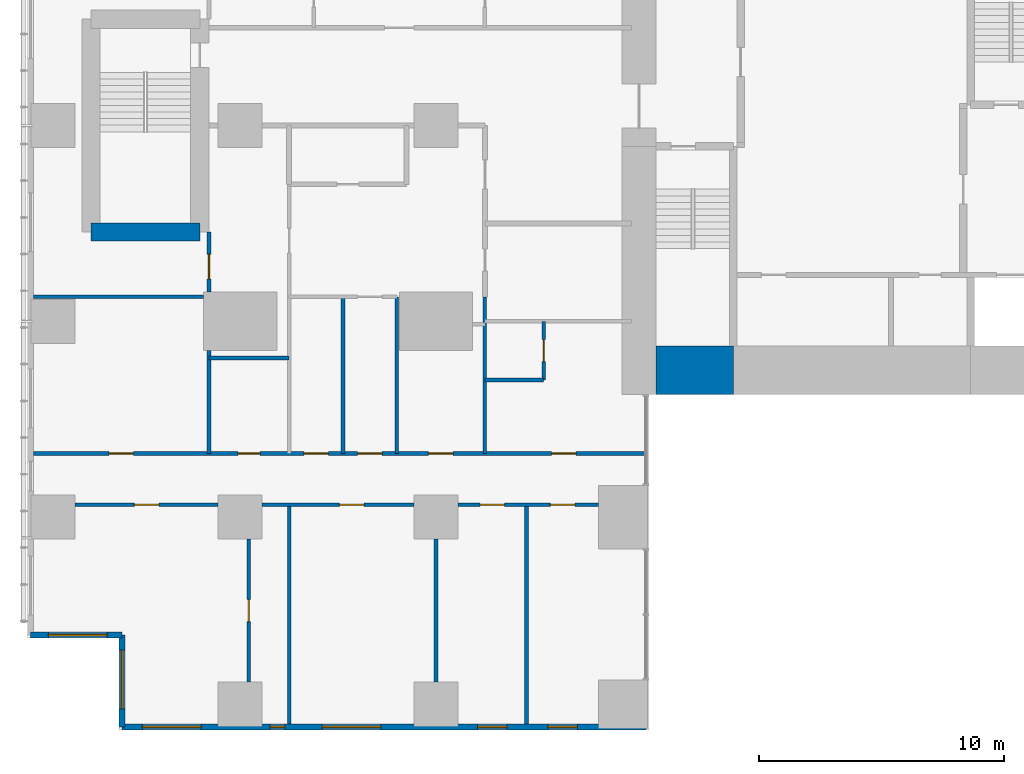
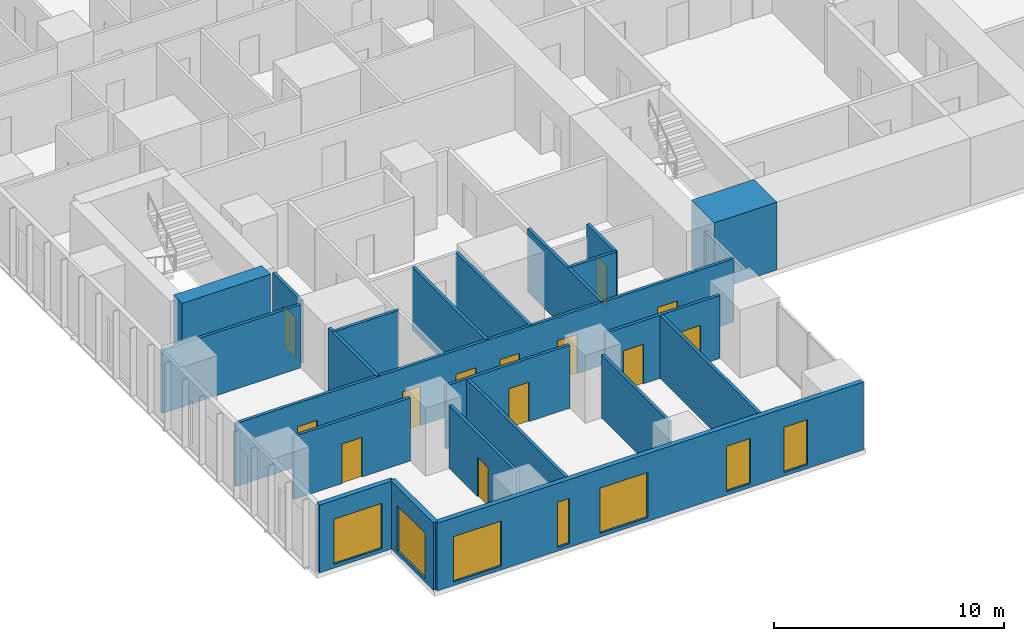
# One storey, part 12 of 20: 22 walls, 13 doors, 7 windows, 20 openings.
"""IFC4 building model written with IfcOpenShell, lengths in metres."""

import ifcopenshell
import ifcopenshell.guid

model = None  # the IFC model being written
_history = None  # IfcOwnerHistory: only IFC2X3 demands one
_inside = {}  # id of a spatial element -> (the spatial element, [elements in it])
_under = {}  # id of a project, library or spatial element -> (it, [spatial elements below it])
_declared = {}  # id of a project -> (the project, [libraries it declares])
_typed = {}  # id of a type object -> (the type object, [elements of that type])
_made_of = {}  # id of a material, layer set ... -> (it, [elements and type objects made of it])


def new_model(schema):
    """Start an empty IFC model of exactly this schema.

    Asked for "IFC4X3", IfcOpenShell would pick the latest addendum, in which some entities
    have other attributes; the version numbers below select the first issue.
    IFC2X3 requires an IfcOwnerHistory on every rooted entity: one is made here for all.
    """
    global model, _history
    if schema == "IFC4X3":
        model = ifcopenshell.file(schema_version=(4, 3, 0, 0))
    else:
        model = ifcopenshell.file(schema=schema)
    _inside.clear()
    _under.clear()
    _declared.clear()
    _typed.clear()
    _made_of.clear()
    _history = None
    if model.schema == "IFC2X3":
        org = make("IfcOrganization", Name="unknown")
        user = make(
            "IfcPersonAndOrganization",
            ThePerson=make("IfcPerson", FamilyName="unknown"),
            TheOrganization=org,
        )
        app = make(
            "IfcApplication",
            ApplicationDeveloper=org,
            Version="unknown",
            ApplicationFullName="unknown",
            ApplicationIdentifier="unknown",
        )
        _history = make(
            "IfcOwnerHistory",
            OwningUser=user,
            OwningApplication=app,
            ChangeAction="ADDED",
            CreationDate=0,
        )
    return model


def make(cls, **values):
    """One entity of the class cls with the attributes given. An attribute that is None is left unset."""
    return model.create_entity(
        cls, **{name: value for name, value in values.items() if value is not None}
    )


def rooted(cls, **values):
    """An entity with a GlobalId (a new one), such as an element, a storey or a relation."""
    return make(cls, GlobalId=ifcopenshell.guid.new(), OwnerHistory=_history, **values)


def si_unit(unit_type, name, prefix=None):
    """IfcSIUnit, for example si_unit("LENGTHUNIT", "METRE", prefix="MILLI")."""
    return make("IfcSIUnit", UnitType=unit_type, Prefix=prefix, Name=name)


def assignment(units):
    """IfcUnitAssignment: the units of a project."""
    return None if units is None else make("IfcUnitAssignment", Units=units)


def point(xyz):
    """IfcCartesianPoint."""
    return None if xyz is None else make("IfcCartesianPoint", Coordinates=xyz)


def direction(xyz):
    """IfcDirection."""
    return None if xyz is None else make("IfcDirection", DirectionRatios=xyz)


def frame(location, z_axis=None, x_axis=None):
    """IfcAxis2Placement3D, a coordinate frame: its origin and axes. An axis left out is left unset."""
    return make(
        "IfcAxis2Placement3D",
        Location=point(location),
        Axis=direction(z_axis),
        RefDirection=direction(x_axis),
    )


def frame_2d(location, x_axis=None):
    """IfcAxis2Placement2D, a coordinate frame in the plane: its origin and x axis."""
    return make(
        "IfcAxis2Placement2D", Location=point(location), RefDirection=direction(x_axis)
    )


def origin():
    """The frame at (0, 0, 0) with its axes left unset."""
    return frame((0.0, 0.0, 0.0))


def place(relative_to, where):
    """IfcLocalPlacement: puts the frame where relative to a parent placement (None: the world)."""
    return make(
        "IfcLocalPlacement", PlacementRelTo=relative_to, RelativePlacement=where
    )


def context(
    kind, dimensions, precision=None, world=None, true_north=None, identifier=None
):
    """IfcGeometricRepresentationContext, for example the 3D "Model" context."""
    return make(
        "IfcGeometricRepresentationContext",
        ContextIdentifier=identifier,
        ContextType=kind,
        CoordinateSpaceDimension=dimensions,
        Precision=precision,
        WorldCoordinateSystem=world,
        TrueNorth=true_north,
    )


def subcontext(parent, identifier, kind, view, scale=None):
    """IfcGeometricRepresentationSubContext, for example "Body" below "Model"."""
    return make(
        "IfcGeometricRepresentationSubContext",
        ContextIdentifier=identifier,
        ContextType=kind,
        ParentContext=parent,
        TargetScale=scale,
        TargetView=view,
    )


def project(units=None, contexts=None):
    """IfcProject with its units and contexts."""
    return rooted(
        "IfcProject",
        Name="project",
        RepresentationContexts=contexts,
        UnitsInContext=assignment(units),
    )


def spatial(cls, under=None, at=None, **own):
    """A site, building, storey or space (cls), placed at a placement, below another one or the project."""
    s = rooted(cls, ObjectPlacement=at, **own)
    if under is not None:
        _under.setdefault(under.id(), (under, []))[1].append(s)
    return s


def profile(cls, at=None, kind="AREA", **sizes):
    """A parametric profile (cls). Its sizes go by their IFC names, for example OverallWidth=200.0."""
    return make(cls, ProfileType=kind, Position=at, **sizes)


def rectangle(**sizes):
    """IfcRectangleProfileDef."""
    return profile("IfcRectangleProfileDef", **sizes)


def extrude(swept, where, along, depth):
    """IfcExtrudedAreaSolid: the profile swept, set in the frame where, extruded along a direction by depth."""
    return make(
        "IfcExtrudedAreaSolid",
        SweptArea=swept,
        Position=where,
        ExtrudedDirection=direction(along),
        Depth=depth,
    )


def shape(context_of_items, identifier, shape_type, items):
    """IfcShapeRepresentation: the items that make up one representation, for example the "Body"."""
    return make(
        "IfcShapeRepresentation",
        ContextOfItems=context_of_items,
        RepresentationIdentifier=identifier,
        RepresentationType=shape_type,
        Items=items,
    )


def material(Name=None, Category=None):
    """IfcMaterial."""
    return make("IfcMaterial", Name=Name, Category=Category)


def layer(
    of_material, thickness, ventilated=None, Name=None, Category=None, Priority=None
):
    """IfcMaterialLayer: one layer of a wall or slab, of a material (None: an air gap)."""
    return make(
        "IfcMaterialLayer",
        Material=of_material,
        LayerThickness=thickness,
        IsVentilated=ventilated,
        Name=Name,
        Category=Category,
        Priority=Priority,
    )


def layer_set(layers, Name=None):
    """IfcMaterialLayerSet."""
    return make("IfcMaterialLayerSet", MaterialLayers=layers, LayerSetName=Name)


def made_of(thing, what):
    """Note that an element or type object is made of a material, layer set ...; save() writes the relation."""
    if what is not None:
        _made_of.setdefault(what.id(), (what, []))[1].append(thing)
    return thing


def type_object(cls, material=None, **own):
    """A type object (cls), such as IfcWallType, which elements share."""
    return made_of(rooted(cls, **own), material)


def element(
    cls,
    number,
    at=None,
    inside=None,
    cuts=None,
    type_object=None,
    material=None,
    context=None,
    identifier="Body",
    shape_type=None,
    held_by="IfcProductDefinitionShape",
    body=None,
    shapes=None,
    **own,
):
    """One element of the class cls, such as IfcWall. Its Tag is "e" and its number.

    at: its placement. inside: the storey or other place that contains it. cuts: it is an
    opening in that element (IfcRelVoidsElement). A single representation is given by context,
    identifier, shape_type and body (its items); several are given by shapes. held_by: the class
    of the entity that holds the representations. save() writes the other relations.
    """
    e = rooted(cls, Tag="e%d" % number, ObjectPlacement=at, **own)
    if body is not None:
        shapes = [shape(context, identifier, shape_type, body)]
    if shapes is not None:
        e.Representation = make(held_by, Representations=shapes)
    if inside is not None:
        _inside.setdefault(inside.id(), (inside, []))[1].append(e)
    if cuts is not None:
        rooted(
            "IfcRelVoidsElement", RelatingBuildingElement=cuts, RelatedOpeningElement=e
        )
    if type_object is not None:
        _typed.setdefault(type_object.id(), (type_object, []))[1].append(e)
    return made_of(e, material)


def fill(opening, filler):
    """IfcRelFillsElement: the door or window that sits in an opening."""
    return rooted(
        "IfcRelFillsElement",
        RelatingOpeningElement=opening,
        RelatedBuildingElement=filler,
    )


def aggregate(whole, parts):
    """IfcRelAggregates: a whole, such as a stair, and the parts it consists of."""
    return rooted("IfcRelAggregates", RelatingObject=whole, RelatedObjects=parts)


def save(model, path):
    """Write the relations noted so far, then the file.

    IfcRelAggregates (storeys below a building ...), IfcRelContainedInSpatialStructure (elements
    in a storey), IfcRelDefinesByType, IfcRelAssociatesMaterial and IfcRelDeclares: one each for
    every whole, place, type object, material and project.
    """
    for whole, parts in _under.values():
        aggregate(whole, parts)
    for where, things in _inside.values():
        rooted(
            "IfcRelContainedInSpatialStructure",
            RelatedElements=things,
            RelatingStructure=where,
        )
    for kind, things in _typed.values():
        rooted("IfcRelDefinesByType", RelatedObjects=things, RelatingType=kind)
    for what, things in _made_of.values():
        rooted("IfcRelAssociatesMaterial", RelatedObjects=things, RelatingMaterial=what)
    for by, libraries in _declared.values():
        rooted("IfcRelDeclares", RelatingContext=by, RelatedDefinitions=libraries)
    model.write(path)


model = new_model("IFC4")

# Units and contexts
model_context = context("Model", 3, precision=1e-05, world=origin(), true_north=direction((0.0, 1.0)))
body_context = subcontext(model_context, "Body", "Model", "MODEL_VIEW")
ifc_project = project(units=[si_unit("LENGTHUNIT", "METRE"), si_unit("AREAUNIT", "SQUARE_METRE"), si_unit("VOLUMEUNIT", "CUBIC_METRE"), si_unit("PLANEANGLEUNIT", "RADIAN"), si_unit("MASSUNIT", "GRAM", prefix="KILO")], contexts=[model_context])

# Site, building, storey
site_placement = place(None, origin())
site = spatial("IfcSite", under=ifc_project, at=site_placement, CompositionType="ELEMENT")
building_placement = place(site_placement, origin())
building = spatial("IfcBuilding", under=site, at=building_placement, Name="Cleftline Residences", CompositionType="ELEMENT")
storey_placement = place(building_placement, frame((0.0, 0.0, 203.800048828125)))
storey = spatial("IfcBuildingStorey", under=building, at=storey_placement, Name="L53", CompositionType="ELEMENT", Elevation=203.800048828125)

# Wall
ifc_material_1 = material(Name="Concrete B70", Category="concrete")
ifc_layer_1 = layer(ifc_material_1, 2.0)
ifc_layer_set_1 = layer_set([ifc_layer_1], Name="CORE WALL 2000")
wall_type_1 = type_object("IfcWallType", Name="CORE WALL 2000", PredefinedType="SHEAR", material=ifc_layer_set_1)
wall_1_placement = place(storey_placement, frame((25.0, 14.0, 0.0), z_axis=(0.0, 0.0, 1.0), x_axis=(1.0, 0.0, 0.0)))
element("IfcWall", 1, at=wall_1_placement, inside=storey, type_object=wall_type_1, Name="Core wall S1", PredefinedType="SHEAR", context=body_context, shape_type="SweptSolid", body=[
    extrude(rectangle(XDim=3.14990234375, YDim=2.0, at=frame_2d((1.574951171875, 0.0))), origin(), (0.0, 0.0, 1.0), 3.599853515625),
])

# Wall, opening, window
ifc_material_2 = material(Name="Rendered reinforced concrete blockwork", Category="masonry")
ifc_layer_2 = layer(ifc_material_2, 0.25)
ifc_layer_set_2 = layer_set([ifc_layer_2], Name="EXTERNAL WALL 250")
wall_type_2 = type_object("IfcWallType", Name="EXTERNAL WALL 250", PredefinedType="SOLIDWALL", material=ifc_layer_set_2)
wall_2_placement = place(storey_placement, frame((-0.574951171875, 3.175048828125, 0.0), z_axis=(0.0, 0.0, 1.0), x_axis=(1.0, 0.0, 0.0)))
wall_2 = element("IfcWall", 2, at=wall_2_placement, inside=storey, type_object=wall_type_2, Name="External wall", PredefinedType="SOLIDWALL", context=body_context, shape_type="SweptSolid", body=[
    extrude(rectangle(XDim=3.75, YDim=0.25, at=frame_2d((1.875, 0.0))), origin(), (0.0, 0.0, 1.0), 3.599853515625),
])
opening_1_placement = place(wall_2_placement, frame((0.737548828125, 0.0, 0.199951171875)))
opening_1 = element("IfcOpeningElement", 3, at=opening_1_placement, cuts=wall_2, Name="Opening W9", PredefinedType="OPENING", context=body_context, shape_type="SweptSolid", body=[
    extrude(rectangle(XDim=2.39990234375, YDim=2.39990234375, at=frame_2d((1.199951171875, 1.199951171875))), frame((0.0, 0.135009765625, 0.0), z_axis=(0.0, -1.0, 0.0), x_axis=(1.0, 0.0, 0.0)), (0.0, 0.0, 1.0), 0.27001953125),
])
ifc_material_3 = material(Name="Aluminium frame, clear double glazing", Category="aluminium")
window_type_1 = type_object("IfcWindowType", Name="WINDOW 2400X2400", PartitioningType="DOUBLE_PANEL_VERTICAL", PredefinedType="WINDOW", material=ifc_material_3)
window_1_placement = place(opening_1_placement, origin())
window_1 = element("IfcWindow", 4, at=window_1_placement, inside=storey, type_object=window_type_1, Name="Window", OverallHeight=2.39990234375, OverallWidth=2.39990234375, PartitioningType="SINGLE_PANEL", PredefinedType="WINDOW", context=body_context, shape_type="SweptSolid", body=[
    extrude(rectangle(XDim=2.39990234375, YDim=2.39990234375, at=frame_2d((1.199951171875, 1.199951171875))), frame((0.0, 0.030029296875, 0.0), z_axis=(0.0, -1.0, 0.0), x_axis=(1.0, 0.0, 0.0)), (0.0, 0.0, 1.0), 0.06005859375),
])
fill(opening_1, window_1)

wall_3_placement = place(storey_placement, frame((3.175048828125, 3.175048828125, 0.0), z_axis=(0.0, 0.0, 1.0), x_axis=(0.0, -1.0, 0.0)))
wall_3 = element("IfcWall", 5, at=wall_3_placement, inside=storey, type_object=wall_type_2, Name="External wall", PredefinedType="SOLIDWALL", context=body_context, shape_type="SweptSolid", body=[
    extrude(rectangle(XDim=3.75, YDim=0.25, at=frame_2d((1.875, 0.0))), origin(), (0.0, 0.0, 1.0), 3.599853515625),
])
opening_2_placement = place(wall_3_placement, frame((0.612548828125, 0.0, 0.199951171875)))
opening_2 = element("IfcOpeningElement", 6, at=opening_2_placement, cuts=wall_3, Name="Opening W9", PredefinedType="OPENING", context=body_context, shape_type="SweptSolid", body=[
    extrude(rectangle(XDim=2.39990234375, YDim=2.39990234375, at=frame_2d((1.199951171875, 1.199951171875))), frame((0.0, 0.135009765625, 0.0), z_axis=(0.0, -1.0, 0.0), x_axis=(1.0, 0.0, 0.0)), (0.0, 0.0, 1.0), 0.27001953125),
])
window_2_placement = place(opening_2_placement, origin())
window_2 = element("IfcWindow", 7, at=window_2_placement, inside=storey, type_object=window_type_1, Name="Window", OverallHeight=2.39990234375, OverallWidth=2.39990234375, PartitioningType="SINGLE_PANEL", PredefinedType="WINDOW", context=body_context, shape_type="SweptSolid", body=[
    extrude(rectangle(XDim=2.39990234375, YDim=2.39990234375, at=frame_2d((1.199951171875, 1.199951171875))), frame((0.0, 0.030029296875, 0.0), z_axis=(0.0, -1.0, 0.0), x_axis=(1.0, 0.0, 0.0)), (0.0, 0.0, 1.0), 0.06005859375),
])
fill(opening_2, window_2)

# Wall, openings, windows
wall_4_placement = place(storey_placement, frame((3.175048828125, -0.574951171875, 0.0), z_axis=(0.0, 0.0, 1.0), x_axis=(1.0, 0.0, 0.0)))
wall_4 = element("IfcWall", 8, at=wall_4_placement, inside=storey, type_object=wall_type_2, Name="External wall", PredefinedType="SOLIDWALL", context=body_context, shape_type="SweptSolid", body=[
    extrude(rectangle(XDim=21.39990234375, YDim=0.25, at=frame_2d((10.699951171875, 0.0))), origin(), (0.0, 0.0, 1.0), 3.599853515625),
])
opening_3_placement = place(wall_4_placement, frame((0.824951171875, 0.0, 0.199951171875)))
opening_3 = element("IfcOpeningElement", 9, at=opening_3_placement, cuts=wall_4, Name="Opening W9", PredefinedType="OPENING", context=body_context, shape_type="SweptSolid", body=[
    extrude(rectangle(XDim=2.39990234375, YDim=2.39990234375, at=frame_2d((1.199951171875, 1.199951171875))), frame((0.0, 0.135009765625, 0.0), z_axis=(0.0, -1.0, 0.0), x_axis=(1.0, 0.0, 0.0)), (0.0, 0.0, 1.0), 0.27001953125),
])
opening_4_placement = place(wall_4_placement, frame((6.050048828125, 0.0, 0.199951171875)))
opening_4 = element("IfcOpeningElement", 10, at=opening_4_placement, cuts=wall_4, Name="Opening W14", PredefinedType="OPENING", context=body_context, shape_type="SweptSolid", body=[
    extrude(rectangle(XDim=0.60009765625, YDim=2.39990234375, at=frame_2d((0.300048828125, 1.199951171875))), frame((0.0, 0.135009765625, 0.0), z_axis=(0.0, -1.0, 0.0), x_axis=(1.0, 0.0, 0.0)), (0.0, 0.0, 1.0), 0.27001953125),
])
opening_5_placement = place(wall_4_placement, frame((8.175048828125, 0.0, 0.199951171875)))
opening_5 = element("IfcOpeningElement", 11, at=opening_5_placement, cuts=wall_4, Name="Opening W9", PredefinedType="OPENING", context=body_context, shape_type="SweptSolid", body=[
    extrude(rectangle(XDim=2.39990234375, YDim=2.39990234375, at=frame_2d((1.199951171875, 1.199951171875))), frame((0.0, 0.135009765625, 0.0), z_axis=(0.0, -1.0, 0.0), x_axis=(1.0, 0.0, 0.0)), (0.0, 0.0, 1.0), 0.27001953125),
])
opening_6_placement = place(wall_4_placement, frame((14.52490234375, 0.0, 0.199951171875)))
opening_6 = element("IfcOpeningElement", 12, at=opening_6_placement, cuts=wall_4, Name="Opening W13", PredefinedType="OPENING", context=body_context, shape_type="SweptSolid", body=[
    extrude(rectangle(XDim=1.199951171875, YDim=2.39990234375, at=frame_2d((0.60009765625, 1.199951171875))), frame((0.0, 0.135009765625, 0.0), z_axis=(0.0, -1.0, 0.0), x_axis=(1.0, 0.0, 0.0)), (0.0, 0.0, 1.0), 0.27001953125),
])
opening_7_placement = place(wall_4_placement, frame((17.39990234375, 0.0, 0.199951171875)))
opening_7 = element("IfcOpeningElement", 13, at=opening_7_placement, cuts=wall_4, Name="Opening W13", PredefinedType="OPENING", context=body_context, shape_type="SweptSolid", body=[
    extrude(rectangle(XDim=1.199951171875, YDim=2.39990234375, at=frame_2d((0.60009765625, 1.199951171875))), frame((0.0, 0.135009765625, 0.0), z_axis=(0.0, -1.0, 0.0), x_axis=(1.0, 0.0, 0.0)), (0.0, 0.0, 1.0), 0.27001953125),
])
ifc_material_4 = material(Name="Aluminium frame, clear double glazing", Category="aluminium")
window_type_2 = type_object("IfcWindowType", Name="WINDOW 1200X2400", PartitioningType="DOUBLE_PANEL_VERTICAL", PredefinedType="WINDOW", material=ifc_material_4)
window_3_placement = place(opening_6_placement, origin())
window_3 = element("IfcWindow", 14, at=window_3_placement, inside=storey, type_object=window_type_2, Name="Window", OverallHeight=2.39990234375, OverallWidth=1.199951171875, PartitioningType="SINGLE_PANEL", PredefinedType="WINDOW", context=body_context, shape_type="SweptSolid", body=[
    extrude(rectangle(XDim=1.199951171875, YDim=2.39990234375, at=frame_2d((0.60009765625, 1.199951171875))), frame((0.0, 0.030029296875, 0.0), z_axis=(0.0, -1.0, 0.0), x_axis=(1.0, 0.0, 0.0)), (0.0, 0.0, 1.0), 0.06005859375),
])
fill(opening_6, window_3)
window_4_placement = place(opening_7_placement, origin())
window_4 = element("IfcWindow", 15, at=window_4_placement, inside=storey, type_object=window_type_2, Name="Window", OverallHeight=2.39990234375, OverallWidth=1.199951171875, PartitioningType="SINGLE_PANEL", PredefinedType="WINDOW", context=body_context, shape_type="SweptSolid", body=[
    extrude(rectangle(XDim=1.199951171875, YDim=2.39990234375, at=frame_2d((0.60009765625, 1.199951171875))), frame((0.0, 0.030029296875, 0.0), z_axis=(0.0, -1.0, 0.0), x_axis=(1.0, 0.0, 0.0)), (0.0, 0.0, 1.0), 0.06005859375),
])
fill(opening_7, window_4)
window_5_placement = place(opening_3_placement, origin())
window_5 = element("IfcWindow", 16, at=window_5_placement, inside=storey, type_object=window_type_1, Name="Window", OverallHeight=2.39990234375, OverallWidth=2.39990234375, PartitioningType="SINGLE_PANEL", PredefinedType="WINDOW", context=body_context, shape_type="SweptSolid", body=[
    extrude(rectangle(XDim=2.39990234375, YDim=2.39990234375, at=frame_2d((1.199951171875, 1.199951171875))), frame((0.0, 0.030029296875, 0.0), z_axis=(0.0, -1.0, 0.0), x_axis=(1.0, 0.0, 0.0)), (0.0, 0.0, 1.0), 0.06005859375),
])
fill(opening_3, window_5)
window_6_placement = place(opening_5_placement, origin())
window_6 = element("IfcWindow", 17, at=window_6_placement, inside=storey, type_object=window_type_1, Name="Window", OverallHeight=2.39990234375, OverallWidth=2.39990234375, PartitioningType="SINGLE_PANEL", PredefinedType="WINDOW", context=body_context, shape_type="SweptSolid", body=[
    extrude(rectangle(XDim=2.39990234375, YDim=2.39990234375, at=frame_2d((1.199951171875, 1.199951171875))), frame((0.0, 0.030029296875, 0.0), z_axis=(0.0, -1.0, 0.0), x_axis=(1.0, 0.0, 0.0)), (0.0, 0.0, 1.0), 0.06005859375),
])
fill(opening_5, window_6)
ifc_material_5 = material(Name="Aluminium frame, clear double glazing", Category="aluminium")
window_type_3 = type_object("IfcWindowType", Name="WINDOW 600X2400", PartitioningType="DOUBLE_PANEL_VERTICAL", PredefinedType="WINDOW", material=ifc_material_5)
window_7_placement = place(opening_4_placement, origin())
window_7 = element("IfcWindow", 18, at=window_7_placement, inside=storey, type_object=window_type_3, Name="Window", OverallHeight=2.39990234375, OverallWidth=0.60009765625, PartitioningType="SINGLE_PANEL", PredefinedType="WINDOW", context=body_context, shape_type="SweptSolid", body=[
    extrude(rectangle(XDim=0.60009765625, YDim=2.39990234375, at=frame_2d((0.300048828125, 1.199951171875))), frame((0.0, 0.030029296875, 0.0), z_axis=(0.0, -1.0, 0.0), x_axis=(1.0, 0.0, 0.0)), (0.0, 0.0, 1.0), 0.06005859375),
])
fill(opening_4, window_7)

# Wall, opening, door
ifc_material_6 = material(Name="Gypsum board on steel studs", Category="steel")
ifc_layer_3 = layer(ifc_material_6, 0.14990234375)
ifc_layer_set_3 = layer_set([ifc_layer_3], Name="PARTITION 150")
wall_type_3 = type_object("IfcWallType", Name="PARTITION 150", PredefinedType="PARTITIONING", material=ifc_layer_set_3)
wall_5_placement = place(storey_placement, frame((1.25, 8.5, 0.0), z_axis=(0.0, 0.0, 1.0), x_axis=(1.0, 0.0, 0.0)))
wall_5 = element("IfcWall", 19, at=wall_5_placement, inside=storey, type_object=wall_type_3, Name="Partition", PredefinedType="PARTITIONING", context=body_context, shape_type="SweptSolid", body=[
    extrude(rectangle(XDim=5.85009765625, YDim=0.14990234375, at=frame_2d((2.925048828125, 0.0))), origin(), (0.0, 0.0, 1.0), 3.349853515625),
])
opening_8_placement = place(wall_5_placement, frame((2.425048828125, 0.0, 0.0)))
opening_8 = element("IfcOpeningElement", 20, at=opening_8_placement, cuts=wall_5, Name="Opening D2", PredefinedType="OPENING", context=body_context, shape_type="SweptSolid", body=[
    extrude(rectangle(XDim=1.0, YDim=2.10009765625, at=frame_2d((0.5, 1.050048828125))), frame((0.0, 0.0849609375, 0.0), z_axis=(0.0, -1.0, 0.0), x_axis=(1.0, 0.0, 0.0)), (0.0, 0.0, 1.0), 0.169921875),
])
ifc_material_7 = material(Name="Timber veneer on solid core", Category="wood")
door_type_1 = type_object("IfcDoorType", Name="DOOR 1000X2100", OperationType="SINGLE_SWING_LEFT", PredefinedType="DOOR", material=ifc_material_7)
door_1_placement = place(opening_8_placement, origin())
door_1 = element("IfcDoor", 21, at=door_1_placement, inside=storey, type_object=door_type_1, Name="Door to formal living room", OperationType="SINGLE_SWING_LEFT", OverallHeight=2.10009765625, OverallWidth=1.0, PredefinedType="DOOR", context=body_context, shape_type="SweptSolid", body=[
    extrude(rectangle(XDim=1.0, YDim=2.10009765625, at=frame_2d((0.5, 1.050048828125))), frame((0.0, 0.02490234375, 0.0), z_axis=(0.0, -1.0, 0.0), x_axis=(1.0, 0.0, 0.0)), (0.0, 0.0, 1.0), 0.050048828125),
])
fill(opening_8, door_1)

wall_6_placement = place(storey_placement, frame((8.89990234375, 8.5, 0.0), z_axis=(0.0, 0.0, 1.0), x_axis=(1.0, 0.0, 0.0)))
wall_6 = element("IfcWall", 22, at=wall_6_placement, inside=storey, type_object=wall_type_3, Name="Partition", PredefinedType="PARTITIONING", context=body_context, shape_type="SweptSolid", body=[
    extrude(rectangle(XDim=6.2001953125, YDim=0.14990234375, at=frame_2d((3.10009765625, 0.0))), origin(), (0.0, 0.0, 1.0), 3.349853515625),
])
opening_9_placement = place(wall_6_placement, frame((3.14990234375, 0.0, 0.0)))
opening_9 = element("IfcOpeningElement", 23, at=opening_9_placement, cuts=wall_6, Name="Opening D2", PredefinedType="OPENING", context=body_context, shape_type="SweptSolid", body=[
    extrude(rectangle(XDim=1.0, YDim=2.10009765625, at=frame_2d((0.5, 1.050048828125))), frame((0.0, 0.0849609375, 0.0), z_axis=(0.0, -1.0, 0.0), x_axis=(1.0, 0.0, 0.0)), (0.0, 0.0, 1.0), 0.169921875),
])
door_2_placement = place(opening_9_placement, origin())
door_2 = element("IfcDoor", 24, at=door_2_placement, inside=storey, type_object=door_type_1, Name="Door to formal dining room", OperationType="SINGLE_SWING_LEFT", OverallHeight=2.10009765625, OverallWidth=1.0, PredefinedType="DOOR", context=body_context, shape_type="SweptSolid", body=[
    extrude(rectangle(XDim=1.0, YDim=2.10009765625, at=frame_2d((0.5, 1.050048828125))), frame((0.0, 0.02490234375, 0.0), z_axis=(0.0, -1.0, 0.0), x_axis=(1.0, 0.0, 0.0)), (0.0, 0.0, 1.0), 0.050048828125),
])
fill(opening_9, door_2)

# Wall, openings, doors
wall_7_placement = place(storey_placement, frame((16.89990234375, 8.5, 0.0), z_axis=(0.0, 0.0, 1.0), x_axis=(1.0, 0.0, 0.0)))
wall_7 = element("IfcWall", 25, at=wall_7_placement, inside=storey, type_object=wall_type_3, Name="Partition", PredefinedType="PARTITIONING", context=body_context, shape_type="SweptSolid", body=[
    extrude(rectangle(XDim=5.75, YDim=0.14990234375, at=frame_2d((2.875, 0.0))), origin(), (0.0, 0.0, 1.0), 3.349853515625),
])
opening_10_placement = place(wall_7_placement, frame((0.89990234375, 0.0, 0.0)))
opening_10 = element("IfcOpeningElement", 26, at=opening_10_placement, cuts=wall_7, Name="Opening D2", PredefinedType="OPENING", context=body_context, shape_type="SweptSolid", body=[
    extrude(rectangle(XDim=1.0, YDim=2.10009765625, at=frame_2d((0.5, 1.050048828125))), frame((0.0, 0.0849609375, 0.0), z_axis=(0.0, -1.0, 0.0), x_axis=(1.0, 0.0, 0.0)), (0.0, 0.0, 1.0), 0.169921875),
])
opening_11_placement = place(wall_7_placement, frame((3.77490234375, 0.0, 0.0)))
opening_11 = element("IfcOpeningElement", 27, at=opening_11_placement, cuts=wall_7, Name="Opening D2", PredefinedType="OPENING", context=body_context, shape_type="SweptSolid", body=[
    extrude(rectangle(XDim=1.0, YDim=2.10009765625, at=frame_2d((0.5, 1.050048828125))), frame((0.0, 0.0849609375, 0.0), z_axis=(0.0, -1.0, 0.0), x_axis=(1.0, 0.0, 0.0)), (0.0, 0.0, 1.0), 0.169921875),
])
door_3_placement = place(opening_10_placement, origin())
door_3 = element("IfcDoor", 28, at=door_3_placement, inside=storey, type_object=door_type_1, Name="Door to breakfast room", OperationType="SINGLE_SWING_RIGHT", OverallHeight=2.10009765625, OverallWidth=1.0, PredefinedType="DOOR", context=body_context, shape_type="SweptSolid", body=[
    extrude(rectangle(XDim=1.0, YDim=2.10009765625, at=frame_2d((0.5, 1.050048828125))), frame((0.0, 0.02490234375, 0.0), z_axis=(0.0, -1.0, 0.0), x_axis=(1.0, 0.0, 0.0)), (0.0, 0.0, 1.0), 0.050048828125),
])
fill(opening_10, door_3)
door_4_placement = place(opening_11_placement, origin())
door_4 = element("IfcDoor", 29, at=door_4_placement, inside=storey, type_object=door_type_1, Name="Door to show kitchen", OperationType="SINGLE_SWING_LEFT", OverallHeight=2.10009765625, OverallWidth=1.0, PredefinedType="DOOR", context=body_context, shape_type="SweptSolid", body=[
    extrude(rectangle(XDim=1.0, YDim=2.10009765625, at=frame_2d((0.5, 1.050048828125))), frame((0.0, 0.02490234375, 0.0), z_axis=(0.0, -1.0, 0.0), x_axis=(1.0, 0.0, 0.0)), (0.0, 0.0, 1.0), 0.050048828125),
])
fill(opening_11, door_4)

wall_8_placement = place(storey_placement, frame((-0.449951171875, 10.60009765625, 0.0), z_axis=(0.0, 0.0, 1.0), x_axis=(1.0, 0.0, 0.0)))
wall_8 = element("IfcWall", 30, at=wall_8_placement, inside=storey, type_object=wall_type_3, Name="Partition", PredefinedType="PARTITIONING", context=body_context, shape_type="SweptSolid", body=[
    extrude(rectangle(XDim=25.010986328125, YDim=0.14990234375, at=frame_2d((12.50537109375, 0.0))), origin(), (0.0, 0.0, 1.0), 3.349853515625),
])
opening_12_placement = place(wall_8_placement, frame((13.25, 0.0, 0.0)))
opening_12 = element("IfcOpeningElement", 31, at=opening_12_placement, cuts=wall_8, Name="Opening D2F30", PredefinedType="OPENING", context=body_context, shape_type="SweptSolid", body=[
    extrude(rectangle(XDim=1.0, YDim=2.10009765625, at=frame_2d((0.5, 1.050048828125))), frame((0.0, 0.0849609375, 0.0), z_axis=(0.0, -1.0, 0.0), x_axis=(1.0, 0.0, 0.0)), (0.0, 0.0, 1.0), 0.169921875),
])
opening_13_placement = place(wall_8_placement, frame((3.08740234375, 0.0, 0.0)))
opening_13 = element("IfcOpeningElement", 32, at=opening_13_placement, cuts=wall_8, Name="Opening D2F30", PredefinedType="OPENING", context=body_context, shape_type="SweptSolid", body=[
    extrude(rectangle(XDim=1.0, YDim=2.10009765625, at=frame_2d((0.5, 1.050048828125))), frame((0.0, 0.0849609375, 0.0), z_axis=(0.0, -1.0, 0.0), x_axis=(1.0, 0.0, 0.0)), (0.0, 0.0, 1.0), 0.169921875),
])
opening_14_placement = place(wall_8_placement, frame((8.362548828125, 0.0, 0.0)))
opening_14 = element("IfcOpeningElement", 33, at=opening_14_placement, cuts=wall_8, Name="Opening D1F30", PredefinedType="OPENING", context=body_context, shape_type="SweptSolid", body=[
    extrude(rectangle(XDim=0.89990234375, YDim=2.10009765625, at=frame_2d((0.449951171875, 1.050048828125))), frame((0.0, 0.0849609375, 0.0), z_axis=(0.0, -1.0, 0.0), x_axis=(1.0, 0.0, 0.0)), (0.0, 0.0, 1.0), 0.169921875),
])
opening_15_placement = place(wall_8_placement, frame((11.050048828125, 0.0, 0.0)))
opening_15 = element("IfcOpeningElement", 34, at=opening_15_placement, cuts=wall_8, Name="Opening D2F30", PredefinedType="OPENING", context=body_context, shape_type="SweptSolid", body=[
    extrude(rectangle(XDim=1.0, YDim=2.10009765625, at=frame_2d((0.5, 1.050048828125))), frame((0.0, 0.0849609375, 0.0), z_axis=(0.0, -1.0, 0.0), x_axis=(1.0, 0.0, 0.0)), (0.0, 0.0, 1.0), 0.169921875),
])
opening_16_placement = place(wall_8_placement, frame((16.14990234375, 0.0, 0.0)))
opening_16 = element("IfcOpeningElement", 35, at=opening_16_placement, cuts=wall_8, Name="Opening D2F30", PredefinedType="OPENING", context=body_context, shape_type="SweptSolid", body=[
    extrude(rectangle(XDim=1.0, YDim=2.10009765625, at=frame_2d((0.5, 1.050048828125))), frame((0.0, 0.0849609375, 0.0), z_axis=(0.0, -1.0, 0.0), x_axis=(1.0, 0.0, 0.0)), (0.0, 0.0, 1.0), 0.169921875),
])
opening_17_placement = place(wall_8_placement, frame((21.175048828125, 0.0, 0.0)))
opening_17 = element("IfcOpeningElement", 36, at=opening_17_placement, cuts=wall_8, Name="Opening D2F30", PredefinedType="OPENING", context=body_context, shape_type="SweptSolid", body=[
    extrude(rectangle(XDim=1.0, YDim=2.10009765625, at=frame_2d((0.5, 1.050048828125))), frame((0.0, 0.0849609375, 0.0), z_axis=(0.0, -1.0, 0.0), x_axis=(1.0, 0.0, 0.0)), (0.0, 0.0, 1.0), 0.169921875),
])
ifc_material_8 = material(Name="Timber veneer on solid core", Category="wood")
door_type_2 = type_object("IfcDoorType", Name="DOOR 1000X2100 EI 30", OperationType="SINGLE_SWING_LEFT", PredefinedType="DOOR", material=ifc_material_8)
door_5_placement = place(opening_12_placement, origin())
door_5 = element("IfcDoor", 37, at=door_5_placement, inside=storey, type_object=door_type_2, Name="Door to residence hall (gallery)", OperationType="SINGLE_SWING_LEFT", OverallHeight=2.10009765625, OverallWidth=1.0, PredefinedType="DOOR", context=body_context, shape_type="SweptSolid", body=[
    extrude(rectangle(XDim=1.0, YDim=2.10009765625, at=frame_2d((0.5, 1.050048828125))), frame((0.0, 0.02490234375, 0.0), z_axis=(0.0, -1.0, 0.0), x_axis=(1.0, 0.0, 0.0)), (0.0, 0.0, 1.0), 0.050048828125),
])
fill(opening_12, door_5)
door_6_placement = place(opening_13_placement, origin())
door_6 = element("IfcDoor", 38, at=door_6_placement, inside=storey, type_object=door_type_2, Name="Door to winter garden", OperationType="SINGLE_SWING_RIGHT", OverallHeight=2.10009765625, OverallWidth=1.0, PredefinedType="DOOR", context=body_context, shape_type="SweptSolid", body=[
    extrude(rectangle(XDim=1.0, YDim=2.10009765625, at=frame_2d((0.5, 1.050048828125))), frame((0.0, 0.02490234375, 0.0), z_axis=(0.0, -1.0, 0.0), x_axis=(1.0, 0.0, 0.0)), (0.0, 0.0, 1.0), 0.050048828125),
])
fill(opening_13, door_6)
door_7_placement = place(opening_15_placement, origin())
door_7 = element("IfcDoor", 39, at=door_7_placement, inside=storey, type_object=door_type_2, Name="Door to family room", OperationType="SINGLE_SWING_RIGHT", OverallHeight=2.10009765625, OverallWidth=1.0, PredefinedType="DOOR", context=body_context, shape_type="SweptSolid", body=[
    extrude(rectangle(XDim=1.0, YDim=2.10009765625, at=frame_2d((0.5, 1.050048828125))), frame((0.0, 0.02490234375, 0.0), z_axis=(0.0, -1.0, 0.0), x_axis=(1.0, 0.0, 0.0)), (0.0, 0.0, 1.0), 0.050048828125),
])
fill(opening_15, door_7)
door_8_placement = place(opening_16_placement, origin())
door_8 = element("IfcDoor", 40, at=door_8_placement, inside=storey, type_object=door_type_2, Name="Door to wet kitchen", OperationType="SINGLE_SWING_LEFT", OverallHeight=2.10009765625, OverallWidth=1.0, PredefinedType="DOOR", context=body_context, shape_type="SweptSolid", body=[
    extrude(rectangle(XDim=1.0, YDim=2.10009765625, at=frame_2d((0.5, 1.050048828125))), frame((0.0, 0.02490234375, 0.0), z_axis=(0.0, -1.0, 0.0), x_axis=(1.0, 0.0, 0.0)), (0.0, 0.0, 1.0), 0.050048828125),
])
fill(opening_16, door_8)
door_9_placement = place(opening_17_placement, origin())
door_9 = element("IfcDoor", 41, at=door_9_placement, inside=storey, type_object=door_type_2, Name="Door to staff bedroom", OperationType="SINGLE_SWING_LEFT", OverallHeight=2.10009765625, OverallWidth=1.0, PredefinedType="DOOR", context=body_context, shape_type="SweptSolid", body=[
    extrude(rectangle(XDim=1.0, YDim=2.10009765625, at=frame_2d((0.5, 1.050048828125))), frame((0.0, 0.02490234375, 0.0), z_axis=(0.0, -1.0, 0.0), x_axis=(1.0, 0.0, 0.0)), (0.0, 0.0, 1.0), 0.050048828125),
])
fill(opening_17, door_9)
ifc_material_9 = material(Name="Timber veneer on solid core", Category="wood")
door_type_3 = type_object("IfcDoorType", Name="DOOR 900X2100 EI 30", OperationType="SINGLE_SWING_LEFT", PredefinedType="DOOR", material=ifc_material_9)
door_10_placement = place(opening_14_placement, origin())
door_10 = element("IfcDoor", 42, at=door_10_placement, inside=storey, type_object=door_type_3, Name="Door to store room", OperationType="SINGLE_SWING_RIGHT", OverallHeight=2.10009765625, OverallWidth=0.89990234375, PredefinedType="DOOR", context=body_context, shape_type="SweptSolid", body=[
    extrude(rectangle(XDim=0.89990234375, YDim=2.10009765625, at=frame_2d((0.449951171875, 1.050048828125))), frame((0.0, 0.02490234375, 0.0), z_axis=(0.0, -1.0, 0.0), x_axis=(1.0, 0.0, 0.0)), (0.0, 0.0, 1.0), 0.050048828125),
])
fill(opening_14, door_10)

# Walls
wall_9_placement = place(storey_placement, frame((18.0, 13.60009765625, 0.0), z_axis=(0.0, 0.0, 1.0), x_axis=(1.0, 0.0, 0.0)))
element("IfcWall", 43, at=wall_9_placement, inside=storey, type_object=wall_type_3, Name="Partition", PredefinedType="PARTITIONING", context=body_context, shape_type="SweptSolid", body=[
    extrude(rectangle(XDim=2.39990234375, YDim=0.14990234375, at=frame_2d((1.199951171875, 0.0))), origin(), (0.0, 0.0, 1.0), 3.349853515625),
])
wall_10_placement = place(storey_placement, frame((6.72509765625, 14.5, 0.0), z_axis=(0.0, 0.0, 1.0), x_axis=(1.0, 0.0, 0.0)))
element("IfcWall", 44, at=wall_10_placement, inside=storey, type_object=wall_type_3, Name="Partition", PredefinedType="PARTITIONING", context=body_context, shape_type="SweptSolid", body=[
    extrude(rectangle(XDim=3.27490234375, YDim=0.14990234375, at=frame_2d((1.637451171875, 0.0))), origin(), (0.0, 0.0, 1.0), 3.349853515625),
])
wall_11_placement = place(storey_placement, frame((-0.449951171875, 17.0, 0.0), z_axis=(0.0, 0.0, 1.0), x_axis=(1.0, 0.0, 0.0)))
element("IfcWall", 45, at=wall_11_placement, inside=storey, type_object=wall_type_3, Name="Partition", PredefinedType="PARTITIONING", context=body_context, shape_type="SweptSolid", body=[
    extrude(rectangle(XDim=6.949951171875, YDim=0.14990234375, at=frame_2d((3.47509765625, 0.0))), origin(), (0.0, 0.0, 1.0), 3.349853515625),
])
wall_12_placement = place(storey_placement, frame((6.72509765625, 10.60009765625, 0.0), z_axis=(0.0, 0.0, 1.0), x_axis=(0.0, 1.0, 0.0)))
element("IfcWall", 46, at=wall_12_placement, inside=storey, type_object=wall_type_3, Name="Partition", PredefinedType="PARTITIONING", context=body_context, shape_type="SweptSolid", body=[
    extrude(rectangle(XDim=4.199951171875, YDim=0.14990234375, at=frame_2d((2.10009765625, 0.0))), origin(), (0.0, 0.0, 1.0), 3.349853515625),
])

# Wall, opening, door
wall_13_placement = place(storey_placement, frame((6.72509765625, 17.199951171875, 0.0), z_axis=(0.0, 0.0, 1.0), x_axis=(0.0, 1.0, 0.0)))
wall_13 = element("IfcWall", 47, at=wall_13_placement, inside=storey, type_object=wall_type_3, Name="Partition", PredefinedType="PARTITIONING", context=body_context, shape_type="SweptSolid", body=[
    extrude(rectangle(XDim=2.449951171875, YDim=0.14990234375, at=frame_2d((1.22509765625, 0.0))), origin(), (0.0, 0.0, 1.0), 3.349853515625),
])
opening_18_placement = place(wall_13_placement, frame((0.53759765625, 0.0, 0.0)))
opening_18 = element("IfcOpeningElement", 48, at=opening_18_placement, cuts=wall_13, Name="Opening D2", PredefinedType="OPENING", context=body_context, shape_type="SweptSolid", body=[
    extrude(rectangle(XDim=1.0, YDim=2.10009765625, at=frame_2d((0.5, 1.050048828125))), frame((0.0, 0.0849609375, 0.0), z_axis=(0.0, -1.0, 0.0), x_axis=(1.0, 0.0, 0.0)), (0.0, 0.0, 1.0), 0.169921875),
])
door_11_placement = place(opening_18_placement, origin())
door_11 = element("IfcDoor", 49, at=door_11_placement, inside=storey, type_object=door_type_1, Name="Door to altar room", OperationType="SINGLE_SWING_RIGHT", OverallHeight=2.10009765625, OverallWidth=1.0, PredefinedType="DOOR", context=body_context, shape_type="SweptSolid", body=[
    extrude(rectangle(XDim=1.0, YDim=2.10009765625, at=frame_2d((0.5, 1.050048828125))), frame((0.0, 0.02490234375, 0.0), z_axis=(0.0, -1.0, 0.0), x_axis=(1.0, 0.0, 0.0)), (0.0, 0.0, 1.0), 0.050048828125),
])
fill(opening_18, door_11)

wall_14_placement = place(storey_placement, frame((8.35009765625, 1.25, 0.0), z_axis=(0.0, 0.0, 1.0), x_axis=(0.0, 1.0, 0.0)))
wall_14 = element("IfcWall", 50, at=wall_14_placement, inside=storey, type_object=wall_type_3, Name="Partition", PredefinedType="PARTITIONING", context=body_context, shape_type="SweptSolid", body=[
    extrude(rectangle(XDim=5.85009765625, YDim=0.14990234375, at=frame_2d((2.925048828125, 0.0))), origin(), (0.0, 0.0, 1.0), 3.349853515625),
])
opening_19_placement = place(wall_14_placement, frame((2.47509765625, 0.0, 0.0)))
opening_19 = element("IfcOpeningElement", 51, at=opening_19_placement, cuts=wall_14, Name="Opening D1", PredefinedType="OPENING", context=body_context, shape_type="SweptSolid", body=[
    extrude(rectangle(XDim=0.89990234375, YDim=2.10009765625, at=frame_2d((0.449951171875, 1.050048828125))), frame((0.0, 0.0849609375, 0.0), z_axis=(0.0, -1.0, 0.0), x_axis=(1.0, 0.0, 0.0)), (0.0, 0.0, 1.0), 0.169921875),
])
ifc_material_10 = material(Name="Timber veneer on solid core", Category="wood")
door_type_4 = type_object("IfcDoorType", Name="DOOR 900X2100", OperationType="SINGLE_SWING_LEFT", PredefinedType="DOOR", material=ifc_material_10)
door_12_placement = place(opening_19_placement, origin())
door_12 = element("IfcDoor", 52, at=door_12_placement, inside=storey, type_object=door_type_4, Name="Door to store room", OperationType="SINGLE_SWING_LEFT", OverallHeight=2.10009765625, OverallWidth=0.89990234375, PredefinedType="DOOR", context=body_context, shape_type="SweptSolid", body=[
    extrude(rectangle(XDim=0.89990234375, YDim=2.10009765625, at=frame_2d((0.449951171875, 1.050048828125))), frame((0.0, 0.02490234375, 0.0), z_axis=(0.0, -1.0, 0.0), x_axis=(1.0, 0.0, 0.0)), (0.0, 0.0, 1.0), 0.050048828125),
])
fill(opening_19, door_12)

# Walls
wall_15_placement = place(storey_placement, frame((10.0, -0.449951171875, 0.0), z_axis=(0.0, 0.0, 1.0), x_axis=(0.0, 1.0, 0.0)))
element("IfcWall", 53, at=wall_15_placement, inside=storey, type_object=wall_type_3, Name="Partition", PredefinedType="PARTITIONING", context=body_context, shape_type="SweptSolid", body=[
    extrude(rectangle(XDim=8.949951171875, YDim=0.14990234375, at=frame_2d((4.47509765625, 0.0))), origin(), (0.0, 0.0, 1.0), 3.349853515625),
])
for number, where, z_axis, x_axis, name in (
    (54, (12.199951171875, 10.60009765625, 0.0), (0.0, 0.0, 1.0), (0.0, 1.0, 0.0), "Partition"),
    (55, (14.39990234375, 10.60009765625, 0.0), (0.0, 0.0, 1.0), (0.0, 1.0, 0.0), "Partition"),
):
    element("IfcWall", number, at=place(storey_placement, frame(where, z_axis=z_axis, x_axis=x_axis)), inside=storey, type_object=wall_type_3, Name=name, PredefinedType="PARTITIONING", context=body_context, shape_type="SweptSolid", body=[
        extrude(rectangle(XDim=6.39990234375, YDim=0.14990234375, at=frame_2d((3.199951171875, 0.0))), origin(), (0.0, 0.0, 1.0), 3.349853515625),
    ])
wall_16_placement = place(storey_placement, frame((16.0, 1.25, 0.0), z_axis=(0.0, 0.0, 1.0), x_axis=(0.0, 1.0, 0.0)))
element("IfcWall", 56, at=wall_16_placement, inside=storey, type_object=wall_type_3, Name="Partition", PredefinedType="PARTITIONING", context=body_context, shape_type="SweptSolid", body=[
    extrude(rectangle(XDim=5.85009765625, YDim=0.14990234375, at=frame_2d((2.925048828125, 0.0))), origin(), (0.0, 0.0, 1.0), 3.349853515625),
])
wall_17_placement = place(storey_placement, frame((18.0, 10.60009765625, 0.0), z_axis=(0.0, 0.0, 1.0), x_axis=(0.0, 1.0, 0.0)))
element("IfcWall", 57, at=wall_17_placement, inside=storey, type_object=wall_type_3, Name="Partition", PredefinedType="PARTITIONING", context=body_context, shape_type="SweptSolid", body=[
    extrude(rectangle(XDim=6.39990234375, YDim=0.14990234375, at=frame_2d((3.199951171875, 0.0))), origin(), (0.0, 0.0, 1.0), 3.349853515625),
])
wall_18_placement = place(storey_placement, frame((19.699951171875, -0.449951171875, 0.0), z_axis=(0.0, 0.0, 1.0), x_axis=(0.0, 1.0, 0.0)))
element("IfcWall", 58, at=wall_18_placement, inside=storey, type_object=wall_type_3, Name="Partition", PredefinedType="PARTITIONING", context=body_context, shape_type="SweptSolid", body=[
    extrude(rectangle(XDim=8.949951171875, YDim=0.14990234375, at=frame_2d((4.47509765625, 0.0))), origin(), (0.0, 0.0, 1.0), 3.349853515625),
])

# Wall, opening, door
wall_19_placement = place(storey_placement, frame((20.39990234375, 13.60009765625, 0.0), z_axis=(0.0, 0.0, 1.0), x_axis=(0.0, 1.0, 0.0)))
wall_19 = element("IfcWall", 59, at=wall_19_placement, inside=storey, type_object=wall_type_3, Name="Partition", PredefinedType="PARTITIONING", context=body_context, shape_type="SweptSolid", body=[
    extrude(rectangle(XDim=2.39990234375, YDim=0.14990234375, at=frame_2d((1.199951171875, 0.0))), origin(), (0.0, 0.0, 1.0), 3.349853515625),
])
opening_20_placement = place(wall_19_placement, frame((0.75, 0.0, 0.0)))
opening_20 = element("IfcOpeningElement", 60, at=opening_20_placement, cuts=wall_19, Name="Opening D1", PredefinedType="OPENING", context=body_context, shape_type="SweptSolid", body=[
    extrude(rectangle(XDim=0.89990234375, YDim=2.10009765625, at=frame_2d((0.449951171875, 1.050048828125))), frame((0.0, 0.0849609375, 0.0), z_axis=(0.0, -1.0, 0.0), x_axis=(1.0, 0.0, 0.0)), (0.0, 0.0, 1.0), 0.169921875),
])
door_13_placement = place(opening_20_placement, origin())
door_13 = element("IfcDoor", 61, at=door_13_placement, inside=storey, type_object=door_type_4, Name="Door to staff shower room", OperationType="SINGLE_SWING_LEFT", OverallHeight=2.10009765625, OverallWidth=0.89990234375, PredefinedType="DOOR", context=body_context, shape_type="SweptSolid", body=[
    extrude(rectangle(XDim=0.89990234375, YDim=2.10009765625, at=frame_2d((0.449951171875, 1.050048828125))), frame((0.0, 0.02490234375, 0.0), z_axis=(0.0, -1.0, 0.0), x_axis=(1.0, 0.0, 0.0)), (0.0, 0.0, 1.0), 0.050048828125),
])
fill(opening_20, door_13)

# Wall
ifc_material_11 = material(Name="Concrete B70", Category="concrete")
ifc_layer_4 = layer(ifc_material_11, 0.75)
ifc_layer_set_4 = layer_set([ifc_layer_4], Name="SHEAR WALL 750")
wall_type_4 = type_object("IfcWallType", Name="SHEAR WALL 750", PredefinedType="SHEAR", material=ifc_layer_set_4)
wall_20_placement = place(storey_placement, frame((1.89990234375, 19.64990234375, 0.0), z_axis=(0.0, 0.0, 1.0), x_axis=(1.0, 0.0, 0.0)))
element("IfcWall", 62, at=wall_20_placement, inside=storey, type_object=wall_type_4, Name="Wing shear wall", PredefinedType="SHEAR", context=body_context, shape_type="SweptSolid", body=[
    extrude(rectangle(XDim=4.4501953125, YDim=0.75, at=frame_2d((2.22509765625, 0.0))), origin(), (0.0, 0.0, 1.0), 3.599853515625),
])

save(model, "model.ifc")
